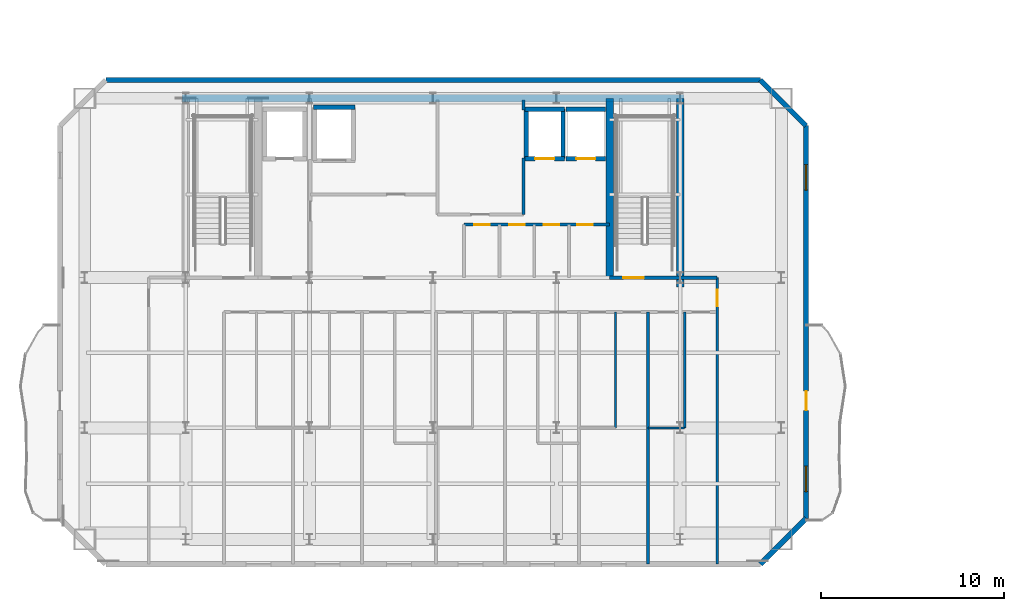
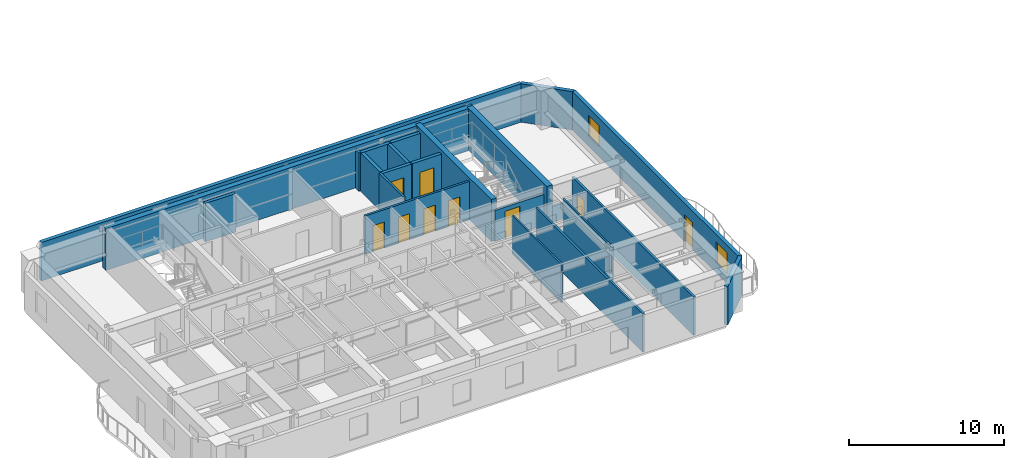
# One storey, part 9 of 16: 24 walls, 9 doors, 2 windows, 11 openings.
"""IFC4 building model written with IfcOpenShell, lengths in metres."""

from ifc_helpers import new_model, si_unit, direction, frame, frame_2d, origin, place, context, subcontext, project, spatial, rectangle, extrude, material, layer, layer_set, type_object, element, fill, save


model = new_model("IFC4")

# Units and contexts
model_context = context("Model", 3, precision=1e-05, world=origin(), true_north=direction((0.0, 1.0)))
body_context = subcontext(model_context, "Body", "Model", "MODEL_VIEW")
ifc_project = project(units=[si_unit("LENGTHUNIT", "METRE"), si_unit("AREAUNIT", "SQUARE_METRE"), si_unit("VOLUMEUNIT", "CUBIC_METRE"), si_unit("PLANEANGLEUNIT", "RADIAN"), si_unit("MASSUNIT", "GRAM", prefix="KILO")], contexts=[model_context])

# Site, building, storey
site_placement = place(None, origin())
site = spatial("IfcSite", under=ifc_project, at=site_placement, CompositionType="ELEMENT")
building_placement = place(site_placement, origin())
building = spatial("IfcBuilding", under=site, at=building_placement, Name="Haevon Station Towers", CompositionType="ELEMENT")
storey_placement = place(building_placement, frame((0.0, 0.0, 215.39990234375)))
storey = spatial("IfcBuildingStorey", under=building, at=storey_placement, Name="L59", CompositionType="ELEMENT", Elevation=215.39990234375)

# Wall
ifc_material_1 = material(Name="Gypsum board on steel stud", Category="steel")
ifc_layer_1 = layer(ifc_material_1, 0.179931640625)
ifc_layer_set_1 = layer_set([ifc_layer_1], Name="Gypsum board on steel stud")
wall_type_1 = type_object("IfcWallType", Name="WL-ACU180", PredefinedType="PARTITIONING", material=ifc_layer_set_1)
wall_1_placement = place(storey_placement, frame((51.0, 38.199951171875, 0.0), z_axis=(0.0, 0.0, 1.0), x_axis=(1.0, 0.0, 0.0)))
element("IfcWall", 1, at=wall_1_placement, inside=storey, type_object=wall_type_1, Name="WL-T1PT-L59-03", PredefinedType="PARTITIONING", context=body_context, shape_type="SweptSolid", body=[
    extrude(rectangle(XDim=2.02490234375, YDim=0.179931640625, at=frame_2d((1.012451171875, 0.0))), origin(), (0.0, 0.0, 1.0), 1.22998046875),
])

# Wall, opening, door
ifc_layer_2 = layer(ifc_material_1, 0.199951171875)
ifc_layer_set_2 = layer_set([ifc_layer_2], Name="Gypsum board on steel stud")
wall_type_2 = type_object("IfcWallType", Name="WL-COR200", PredefinedType="PARTITIONING", material=ifc_layer_set_2)
wall_2_placement = place(storey_placement, frame((47.14990234375, 38.199951171875, 0.0), z_axis=(0.0, 0.0, 1.0), x_axis=(1.0, 0.0, 0.0)))
wall_2 = element("IfcWall", 2, at=wall_2_placement, inside=storey, type_object=wall_type_2, Name="WL-ST-ST2-L59", PredefinedType="PARTITIONING", context=body_context, shape_type="SweptSolid", body=[
    extrude(rectangle(XDim=3.85009765625, YDim=0.199951171875, at=frame_2d((1.925048828125, 0.0))), origin(), (0.0, 0.0, 1.0), 2.43017578125),
])
opening_1_placement = place(wall_2_placement, frame((0.75, 0.0, 0.0)))
opening_1 = element("IfcOpeningElement", 3, at=opening_1_placement, cuts=wall_2, Name="Opening DR-ST-ST2-L59", PredefinedType="OPENING", context=body_context, shape_type="SweptSolid", body=[
    extrude(rectangle(XDim=1.1201171875, YDim=2.10009765625, at=frame_2d((0.56005859375, 1.050048828125))), frame((0.0, 0.10986328125, 0.0), z_axis=(0.0, -1.0, 0.0), x_axis=(1.0, 0.0, 0.0)), (0.0, 0.0, 1.0), 0.219970703125),
])
ifc_material_2 = material(Name="Engineered oak timber", Category="wood")
door_type_1 = type_object("IfcDoorType", Name="DR-ST-1120", OperationType="NOTDEFINED", PredefinedType="DOOR", material=ifc_material_2)
door_1_placement = place(opening_1_placement, origin())
door_1 = element("IfcDoor", 4, at=door_1_placement, inside=storey, type_object=door_type_1, Name="L59 Escape Stair ST2 Fire Door", OperationType="SINGLE_SWING_RIGHT", OverallHeight=2.10009765625, OverallWidth=1.1201171875, PredefinedType="DOOR", context=body_context, shape_type="SweptSolid", body=[
    extrude(rectangle(XDim=1.1201171875, YDim=2.10009765625, at=frame_2d((0.56005859375, 1.050048828125))), frame((0.0, 0.02490234375, 0.0), z_axis=(0.0, -1.0, 0.0), x_axis=(1.0, 0.0, 0.0)), (0.0, 0.0, 1.0), 0.050048828125),
])
fill(opening_1, door_1)

# Walls
ifc_material_3 = material(Name="Concrete C60/75", Category="concrete")
ifc_layer_3 = layer(ifc_material_3, 0.39990234375)
ifc_layer_set_3 = layer_set([ifc_layer_3], Name="Concrete C60/75")
wall_type_3 = type_object("IfcWallType", Name="WL-CR400", PredefinedType="SHEAR", material=ifc_layer_set_3)
wall_3_placement = place(storey_placement, frame((23.800048828125, 48.0, 0.0), z_axis=(0.0, 0.0, 1.0), x_axis=(1.0, 0.0, 0.0)))
element("IfcWall", 5, at=wall_3_placement, inside=storey, type_object=wall_type_3, Name="WL-T1CR-L59-N", PredefinedType="SHEAR", context=body_context, shape_type="SweptSolid", body=[
    extrude(rectangle(XDim=27.39990234375, YDim=0.39990234375, at=frame_2d((13.699951171875, 0.0))), origin(), (0.0, 0.0, 1.0), 3.300048828125),
])
wall_4_placement = place(storey_placement, frame((51.0, 37.679931640625, 0.0), z_axis=(0.0, 0.0, 1.0), x_axis=(0.0, 1.0, 0.0)))
element("IfcWall", 6, at=wall_4_placement, inside=storey, type_object=wall_type_3, Name="WL-T1CR-L59-E", PredefinedType="SHEAR", context=body_context, shape_type="SweptSolid", body=[
    extrude(rectangle(XDim=10.320068359375, YDim=0.39990234375, at=frame_2d((5.16015625, 0.0))), origin(), (0.0, 0.0, 1.0), 3.300048828125),
])
wall_5_placement = place(storey_placement, frame((47.14990234375, 38.199951171875, 0.0), z_axis=(0.0, 0.0, 1.0), x_axis=(0.0, 1.0, 0.0)))
element("IfcWall", 7, at=wall_5_placement, inside=storey, type_object=wall_type_3, Name="WL-T1CR-L59-M2", PredefinedType="SHEAR", context=body_context, shape_type="SweptSolid", body=[
    extrude(rectangle(XDim=9.800048828125, YDim=0.39990234375, at=frame_2d((4.89990234375, 0.0))), origin(), (0.0, 0.0, 1.0), 3.300048828125),
])
ifc_material_4 = material(Name="Precast concrete C45/55", Category="concrete")
ifc_layer_4 = layer(ifc_material_4, 0.280029296875)
ifc_layer_set_4 = layer_set([ifc_layer_4], Name="Precast concrete C45/55")
wall_type_4 = type_object("IfcWallType", Name="WL-EXT-PIER280", PredefinedType="SOLIDWALL", material=ifc_layer_set_4)
wall_6_placement = place(storey_placement, frame((19.625, 49.0, 0.0), z_axis=(0.0, 0.0, 1.0), x_axis=(1.0, 0.0, 0.0)))
element("IfcWall", 8, at=wall_6_placement, inside=storey, type_object=wall_type_4, Name="WL-T1-L59-N", PredefinedType="SOLIDWALL", context=body_context, shape_type="SweptSolid", body=[
    extrude(rectangle(XDim=35.75, YDim=0.280029296875, at=frame_2d((17.875, 0.0))), origin(), (0.0, 0.0, 1.0), 3.030029296875),
])
wall_7_placement = place(storey_placement, frame((55.375, 49.0, 0.0), z_axis=(0.0, 0.0, 1.0), x_axis=(0.707106781187, -0.707106781187, 0.0)))
element("IfcWall", 9, at=wall_7_placement, inside=storey, type_object=wall_type_4, Name="WL-T1-L59-NEC", PredefinedType="SOLIDWALL", context=body_context, shape_type="SweptSolid", body=[
    extrude(rectangle(XDim=3.53564453125, YDim=0.280029296875, at=frame_2d((1.767822265625, 0.0))), origin(), (0.0, 0.0, 1.0), 3.030029296875),
])

# Wall, openings, door, windows
wall_8_placement = place(storey_placement, frame((57.875, 46.5, 0.0), z_axis=(0.0, 0.0, 1.0), x_axis=(0.0, -1.0, 0.0)))
wall_8 = element("IfcWall", 10, at=wall_8_placement, inside=storey, type_object=wall_type_4, Name="WL-T1-L59-E", PredefinedType="SOLIDWALL", context=body_context, shape_type="SweptSolid", body=[
    extrude(rectangle(XDim=21.449951171875, YDim=0.280029296875, at=frame_2d((10.72509765625, 0.0))), origin(), (0.0, 0.0, 1.0), 3.030029296875),
])
opening_2_placement = place(wall_8_placement, frame((14.5, 0.0, 0.0)))
opening_2 = element("IfcOpeningElement", 11, at=opening_2_placement, cuts=wall_8, Name="Opening DR-T1-SCAL-L59-E", PredefinedType="OPENING", context=body_context, shape_type="SweptSolid", body=[
    extrude(rectangle(XDim=1.050048828125, YDim=2.10009765625, at=frame_2d((0.52490234375, 1.050048828125))), frame((0.0, 0.14990234375, 0.0), z_axis=(0.0, -1.0, 0.0), x_axis=(1.0, 0.0, 0.0)), (0.0, 0.0, 1.0), 0.300048828125),
])
opening_3_placement = place(wall_8_placement, frame((2.117919921875, 0.0, 0.800048828125)))
opening_3 = element("IfcOpeningElement", 12, at=opening_3_placement, cuts=wall_8, Name="Opening WN-END140", PredefinedType="OPENING", context=body_context, shape_type="SweptSolid", body=[
    extrude(rectangle(XDim=1.39990234375, YDim=1.64990234375, at=frame_2d((0.699951171875, 0.824951171875))), frame((0.0, 0.14990234375, 0.0), z_axis=(0.0, -1.0, 0.0), x_axis=(1.0, 0.0, 0.0)), (0.0, 0.0, 1.0), 0.300048828125),
])
opening_4_placement = place(wall_8_placement, frame((18.591064453125, 0.0, 0.800048828125)))
opening_4 = element("IfcOpeningElement", 13, at=opening_4_placement, cuts=wall_8, Name="Opening WN-END140", PredefinedType="OPENING", context=body_context, shape_type="SweptSolid", body=[
    extrude(rectangle(XDim=1.39990234375, YDim=1.64990234375, at=frame_2d((0.699951171875, 0.824951171875))), frame((0.0, 0.14990234375, 0.0), z_axis=(0.0, -1.0, 0.0), x_axis=(1.0, 0.0, 0.0)), (0.0, 0.0, 1.0), 0.300048828125),
])
ifc_material_5 = material(Name="Thermally broken anodised aluminium and laminated safety glass", Category="aluminium")
door_type_2 = type_object("IfcDoorType", Name="DR-BALC-1050", OperationType="NOTDEFINED", PredefinedType="DOOR", material=ifc_material_5)
door_2_placement = place(opening_2_placement, origin())
door_2 = element("IfcDoor", 14, at=door_2_placement, inside=storey, type_object=door_type_2, Name="Tower 1 L59 East Scalloped Balcony Door", OperationType="SINGLE_SWING_LEFT", OverallHeight=2.10009765625, OverallWidth=1.050048828125, PredefinedType="DOOR", context=body_context, shape_type="SweptSolid", body=[
    extrude(rectangle(XDim=1.050048828125, YDim=2.10009765625, at=frame_2d((0.52490234375, 1.050048828125))), frame((0.0, 0.02490234375, 0.0), z_axis=(0.0, -1.0, 0.0), x_axis=(1.0, 0.0, 0.0)), (0.0, 0.0, 1.0), 0.050048828125),
])
fill(opening_2, door_2)
ifc_material_6 = material(Name="Low-E triple glazing in thermally broken aluminium", Category="aluminium")
window_type = type_object("IfcWindowType", Name="WN-END140", PartitioningType="SINGLE_PANEL", PredefinedType="WINDOW", material=ifc_material_6)
window_1_placement = place(opening_3_placement, origin())
window_1 = element("IfcWindow", 15, at=window_1_placement, inside=storey, type_object=window_type, Name="WN-T1-L59-E01", OverallHeight=1.64990234375, OverallWidth=1.39990234375, PartitioningType="SINGLE_PANEL", PredefinedType="WINDOW", context=body_context, shape_type="SweptSolid", body=[
    extrude(rectangle(XDim=1.39990234375, YDim=1.64990234375, at=frame_2d((0.699951171875, 0.824951171875))), frame((0.0, 0.030029296875, 0.0), z_axis=(0.0, -1.0, 0.0), x_axis=(1.0, 0.0, 0.0)), (0.0, 0.0, 1.0), 0.06005859375),
])
fill(opening_3, window_1)
window_2_placement = place(opening_4_placement, origin())
window_2 = element("IfcWindow", 16, at=window_2_placement, inside=storey, type_object=window_type, Name="WN-T1-L59-E02", OverallHeight=1.64990234375, OverallWidth=1.39990234375, PartitioningType="SINGLE_PANEL", PredefinedType="WINDOW", context=body_context, shape_type="SweptSolid", body=[
    extrude(rectangle(XDim=1.39990234375, YDim=1.64990234375, at=frame_2d((0.699951171875, 0.824951171875))), frame((0.0, 0.030029296875, 0.0), z_axis=(0.0, -1.0, 0.0), x_axis=(1.0, 0.0, 0.0)), (0.0, 0.0, 1.0), 0.06005859375),
])
fill(opening_4, window_2)

# Walls
wall_9_placement = place(storey_placement, frame((57.875, 25.050048828125, 0.0), z_axis=(0.0, 0.0, 1.0), x_axis=(-0.707106781187, -0.707106781187, 0.0)))
element("IfcWall", 17, at=wall_9_placement, inside=storey, type_object=wall_type_4, Name="WL-T1-L59-SEC", PredefinedType="SOLIDWALL", context=body_context, shape_type="SweptSolid", body=[
    extrude(rectangle(XDim=3.53564453125, YDim=0.280029296875, at=frame_2d((1.767822265625, 0.0))), origin(), (0.0, 0.0, 1.0), 3.030029296875),
])
ifc_layer_5 = layer(ifc_material_1, 0.125)
ifc_layer_set_5 = layer_set([ifc_layer_5], Name="Gypsum board on steel stud")
wall_type_5 = type_object("IfcWallType", Name="WL-PRT125", PredefinedType="PARTITIONING", material=ifc_layer_set_5)
wall_10_placement = place(storey_placement, frame((47.47265625, 29.990966796875, 0.0), z_axis=(0.0, 0.0, 1.0), x_axis=(0.0, 1.0, 0.0)))
element("IfcWall", 18, at=wall_10_placement, inside=storey, type_object=wall_type_5, Name="WL-T1PT-L59-22", PredefinedType="PARTITIONING", context=body_context, shape_type="SweptSolid", body=[
    extrude(rectangle(XDim=6.3291015625, YDim=0.125, at=frame_2d((3.16455078125, 0.0))), origin(), (0.0, 0.0, 1.0), 3.030029296875),
])
wall_11_placement = place(storey_placement, frame((49.252685546875, 29.990966796875, 0.0), z_axis=(0.0, 0.0, 1.0), x_axis=(1.0, 0.0, 0.0)))
element("IfcWall", 19, at=wall_11_placement, inside=storey, type_object=wall_type_5, Name="WL-T1PT-L59-24", PredefinedType="PARTITIONING", context=body_context, shape_type="SweptSolid", body=[
    extrude(rectangle(XDim=1.992431640625, YDim=0.125, at=frame_2d((0.99609375, 0.0))), origin(), (0.0, 0.0, 1.0), 1.22998046875),
])
wall_12_placement = place(storey_placement, frame((51.2451171875, 29.990966796875, 0.0), z_axis=(0.0, 0.0, 1.0), x_axis=(0.0, 1.0, 0.0)))
element("IfcWall", 20, at=wall_12_placement, inside=storey, type_object=wall_type_5, Name="WL-T1PT-L59-25", PredefinedType="PARTITIONING", context=body_context, shape_type="SweptSolid", body=[
    extrude(rectangle(XDim=6.3291015625, YDim=0.125, at=frame_2d((3.16455078125, 0.0))), origin(), (0.0, 0.0, 1.0), 3.030029296875),
])
ifc_layer_6 = layer(ifc_material_1, 0.159912109375)
ifc_layer_set_6 = layer_set([ifc_layer_6], Name="Gypsum board on steel stud")
wall_type_6 = type_object("IfcWallType", Name="WL-PRT160", PredefinedType="PARTITIONING", material=ifc_layer_set_6)
wall_13_placement = place(storey_placement, frame((42.449951171875, 41.64990234375, 0.0), z_axis=(0.0, 0.0, 1.0), x_axis=(0.0, 1.0, 0.0)))
element("IfcWall", 21, at=wall_13_placement, inside=storey, type_object=wall_type_6, Name="WL-T1CW-L59-04", PredefinedType="PARTITIONING", context=body_context, shape_type="SweptSolid", body=[
    extrude(rectangle(XDim=3.10009765625, YDim=0.159912109375, at=frame_2d((1.550048828125, 0.0))), origin(), (0.0, 0.0, 1.0), 3.030029296875),
])
wall_14_placement = place(storey_placement, frame((42.449951171875, 47.35009765625, 0.0), z_axis=(0.0, 0.0, 1.0), x_axis=(0.0, 1.0, 0.0)))
element("IfcWall", 22, at=wall_14_placement, inside=storey, type_object=wall_type_6, Name="WL-T1CW-L59-05", PredefinedType="PARTITIONING", context=body_context, shape_type="SweptSolid", body=[
    extrude(rectangle(XDim=0.5498046875, YDim=0.159912109375, at=frame_2d((0.27490234375, 0.0))), origin(), (0.0, 0.0, 1.0), 3.030029296875),
])

# Wall, openings, doors
wall_15_placement = place(storey_placement, frame((39.199951171875, 41.10009765625, 0.0), z_axis=(0.0, 0.0, 1.0), x_axis=(1.0, 0.0, 0.0)))
wall_15 = element("IfcWall", 23, at=wall_15_placement, inside=storey, type_object=wall_type_6, Name="WL-T1CW-L59-10", PredefinedType="PARTITIONING", context=body_context, shape_type="SweptSolid", body=[
    extrude(rectangle(XDim=7.949951171875, YDim=0.159912109375, at=frame_2d((3.97509765625, 0.0))), origin(), (0.0, 0.0, 1.0), 3.030029296875),
])
opening_5_placement = place(wall_15_placement, frame((0.56005859375, 0.0, 0.0)))
opening_5 = element("IfcOpeningElement", 24, at=opening_5_placement, cuts=wall_15, Name="Opening DR-WL-T1CW-L59-10-1", PredefinedType="OPENING", context=body_context, shape_type="SweptSolid", body=[
    extrude(rectangle(XDim=0.85009765625, YDim=2.050048828125, at=frame_2d((0.425048828125, 1.02490234375))), frame((0.0, 0.08984375, 0.0), z_axis=(0.0, -1.0, 0.0), x_axis=(1.0, 0.0, 0.0)), (0.0, 0.0, 1.0), 0.179931640625),
])
opening_6_placement = place(wall_15_placement, frame((2.455078125, 0.0, 0.0)))
opening_6 = element("IfcOpeningElement", 25, at=opening_6_placement, cuts=wall_15, Name="Opening DR-WL-T1CW-L59-10-2", PredefinedType="OPENING", context=body_context, shape_type="SweptSolid", body=[
    extrude(rectangle(XDim=0.85009765625, YDim=2.050048828125, at=frame_2d((0.425048828125, 1.02490234375))), frame((0.0, 0.08984375, 0.0), z_axis=(0.0, -1.0, 0.0), x_axis=(1.0, 0.0, 0.0)), (0.0, 0.0, 1.0), 0.179931640625),
])
opening_7_placement = place(wall_15_placement, frame((4.35498046875, 0.0, 0.0)))
opening_7 = element("IfcOpeningElement", 26, at=opening_7_placement, cuts=wall_15, Name="Opening DR-WL-T1CW-L59-10-3", PredefinedType="OPENING", context=body_context, shape_type="SweptSolid", body=[
    extrude(rectangle(XDim=0.85009765625, YDim=2.050048828125, at=frame_2d((0.425048828125, 1.02490234375))), frame((0.0, 0.08984375, 0.0), z_axis=(0.0, -1.0, 0.0), x_axis=(1.0, 0.0, 0.0)), (0.0, 0.0, 1.0), 0.179931640625),
])
opening_8_placement = place(wall_15_placement, frame((6.179931640625, 0.0, 0.0)))
opening_8 = element("IfcOpeningElement", 27, at=opening_8_placement, cuts=wall_15, Name="Opening DR-WL-T1CW-L59-10-4", PredefinedType="OPENING", context=body_context, shape_type="SweptSolid", body=[
    extrude(rectangle(XDim=0.85009765625, YDim=2.050048828125, at=frame_2d((0.425048828125, 1.02490234375))), frame((0.0, 0.08984375, 0.0), z_axis=(0.0, -1.0, 0.0), x_axis=(1.0, 0.0, 0.0)), (0.0, 0.0, 1.0), 0.179931640625),
])
door_type_3 = type_object("IfcDoorType", Name="DR-FD30-850", OperationType="NOTDEFINED", PredefinedType="DOOR", material=ifc_material_2)
door_3_placement = place(opening_5_placement, origin())
door_3 = element("IfcDoor", 28, at=door_3_placement, inside=storey, type_object=door_type_3, Name="L59 Tower 1 Core Room Door 10-1", OperationType="SINGLE_SWING_LEFT", OverallHeight=2.050048828125, OverallWidth=0.85009765625, PredefinedType="DOOR", context=body_context, shape_type="SweptSolid", body=[
    extrude(rectangle(XDim=0.85009765625, YDim=2.050048828125, at=frame_2d((0.425048828125, 1.02490234375))), frame((0.0, 0.02490234375, 0.0), z_axis=(0.0, -1.0, 0.0), x_axis=(1.0, 0.0, 0.0)), (0.0, 0.0, 1.0), 0.050048828125),
])
fill(opening_5, door_3)
door_4_placement = place(opening_6_placement, origin())
door_4 = element("IfcDoor", 29, at=door_4_placement, inside=storey, type_object=door_type_3, Name="L59 Tower 1 Core Room Door 10-2", OperationType="SINGLE_SWING_RIGHT", OverallHeight=2.050048828125, OverallWidth=0.85009765625, PredefinedType="DOOR", context=body_context, shape_type="SweptSolid", body=[
    extrude(rectangle(XDim=0.85009765625, YDim=2.050048828125, at=frame_2d((0.425048828125, 1.02490234375))), frame((0.0, 0.02490234375, 0.0), z_axis=(0.0, -1.0, 0.0), x_axis=(1.0, 0.0, 0.0)), (0.0, 0.0, 1.0), 0.050048828125),
])
fill(opening_6, door_4)
door_5_placement = place(opening_7_placement, origin())
door_5 = element("IfcDoor", 30, at=door_5_placement, inside=storey, type_object=door_type_3, Name="L59 Tower 1 Core Room Door 10-3", OperationType="SINGLE_SWING_LEFT", OverallHeight=2.050048828125, OverallWidth=0.85009765625, PredefinedType="DOOR", context=body_context, shape_type="SweptSolid", body=[
    extrude(rectangle(XDim=0.85009765625, YDim=2.050048828125, at=frame_2d((0.425048828125, 1.02490234375))), frame((0.0, 0.02490234375, 0.0), z_axis=(0.0, -1.0, 0.0), x_axis=(1.0, 0.0, 0.0)), (0.0, 0.0, 1.0), 0.050048828125),
])
fill(opening_7, door_5)
door_6_placement = place(opening_8_placement, origin())
door_6 = element("IfcDoor", 31, at=door_6_placement, inside=storey, type_object=door_type_3, Name="L59 Tower 1 Core Room Door 10-4", OperationType="SINGLE_SWING_RIGHT", OverallHeight=2.050048828125, OverallWidth=0.85009765625, PredefinedType="DOOR", context=body_context, shape_type="SweptSolid", body=[
    extrude(rectangle(XDim=0.85009765625, YDim=2.050048828125, at=frame_2d((0.425048828125, 1.02490234375))), frame((0.0, 0.02490234375, 0.0), z_axis=(0.0, -1.0, 0.0), x_axis=(1.0, 0.0, 0.0)), (0.0, 0.0, 1.0), 0.050048828125),
])
fill(opening_8, door_6)

# Wall, opening, door
wall_16_placement = place(storey_placement, frame((53.02490234375, 22.550048828125, 0.0), z_axis=(0.0, 0.0, 1.0), x_axis=(0.0, 1.0, 0.0)))
wall_16 = element("IfcWall", 32, at=wall_16_placement, inside=storey, type_object=wall_type_6, Name="WL-T1PT-L59-05", PredefinedType="PARTITIONING", context=body_context, shape_type="SweptSolid", body=[
    extrude(rectangle(XDim=15.64990234375, YDim=0.159912109375, at=frame_2d((7.824951171875, 0.0))), origin(), (0.0, 0.0, 1.0), 3.030029296875),
])
opening_9_placement = place(wall_16_placement, frame((14.090087890625, 0.0, 0.0)))
opening_9 = element("IfcOpeningElement", 33, at=opening_9_placement, cuts=wall_16, Name="Opening DR-WL-T1PT-L59-05-01", PredefinedType="OPENING", context=body_context, shape_type="SweptSolid", body=[
    extrude(rectangle(XDim=0.89990234375, YDim=2.050048828125, at=frame_2d((0.449951171875, 1.02490234375))), frame((0.0, 0.08984375, 0.0), z_axis=(0.0, -1.0, 0.0), x_axis=(1.0, 0.0, 0.0)), (0.0, 0.0, 1.0), 0.179931640625),
])
door_type_4 = type_object("IfcDoorType", Name="DR-INT-900", OperationType="NOTDEFINED", PredefinedType="DOOR", material=ifc_material_2)
door_7_placement = place(opening_9_placement, origin())
door_7 = element("IfcDoor", 34, at=door_7_placement, inside=storey, type_object=door_type_4, Name="L59 Tower 1 Room Door 5-1", OperationType="SINGLE_SWING_RIGHT", OverallHeight=2.050048828125, OverallWidth=0.89990234375, PredefinedType="DOOR", context=body_context, shape_type="SweptSolid", body=[
    extrude(rectangle(XDim=0.89990234375, YDim=2.050048828125, at=frame_2d((0.449951171875, 1.02490234375))), frame((0.0, 0.02490234375, 0.0), z_axis=(0.0, -1.0, 0.0), x_axis=(1.0, 0.0, 0.0)), (0.0, 0.0, 1.0), 0.050048828125),
])
fill(opening_9, door_7)

# Walls
wall_17_placement = place(storey_placement, frame((49.252685546875, 22.550048828125, 0.0), z_axis=(0.0, 0.0, 1.0), x_axis=(0.0, 1.0, 0.0)))
element("IfcWall", 35, at=wall_17_placement, inside=storey, type_object=wall_type_6, Name="WL-T1PT-L59-23", PredefinedType="PARTITIONING", context=body_context, shape_type="SweptSolid", body=[
    extrude(rectangle(XDim=13.77001953125, YDim=0.159912109375, at=frame_2d((6.885009765625, 0.0))), origin(), (0.0, 0.0, 1.0), 3.030029296875),
])
ifc_material_7 = material(Name="Concrete C40/50", Category="concrete")
ifc_layer_7 = layer(ifc_material_7, 0.239990234375)
ifc_layer_set_7 = layer_set([ifc_layer_7], Name="Concrete C40/50")
wall_type_7 = type_object("IfcWallType", Name="WL-SHF240", PredefinedType="PARTITIONING", material=ifc_layer_set_7)
wall_18_placement = place(storey_placement, frame((30.969970703125, 47.5, 0.0), z_axis=(0.0, 0.0, 1.0), x_axis=(1.0, 0.0, 0.0)))
element("IfcWall", 36, at=wall_18_placement, inside=storey, type_object=wall_type_7, Name="WL-SHF-SL1-L59-N", PredefinedType="PARTITIONING", context=body_context, shape_type="SweptSolid", body=[
    extrude(rectangle(XDim=2.260009765625, YDim=0.239990234375, at=frame_2d((1.1298828125, 0.0))), origin(), (0.0, 0.0, 1.0), 3.030029296875),
])

# Wall, opening, door
wall_19_placement = place(storey_placement, frame((42.52001953125, 44.699951171875, 0.0), z_axis=(0.0, 0.0, 1.0), x_axis=(1.0, 0.0, 0.0)))
wall_19 = element("IfcWall", 37, at=wall_19_placement, inside=storey, type_object=wall_type_7, Name="WL-SHF-PL5-L59", PredefinedType="PARTITIONING", context=body_context, shape_type="SweptSolid", body=[
    extrude(rectangle(XDim=2.159912109375, YDim=0.239990234375, at=frame_2d((1.080078125, 0.0))), origin(), (0.0, 0.0, 1.0), 3.030029296875),
])
opening_10_placement = place(wall_19_placement, frame((0.554931640625, 0.0, 0.0)))
opening_10 = element("IfcOpeningElement", 38, at=opening_10_placement, cuts=wall_19, Name="Opening LD-PL5-L59", PredefinedType="OPENING", context=body_context, shape_type="SweptSolid", body=[
    extrude(rectangle(XDim=1.050048828125, YDim=2.14990234375, at=frame_2d((0.52490234375, 1.074951171875))), frame((0.0, 0.1298828125, 0.0), z_axis=(0.0, -1.0, 0.0), x_axis=(1.0, 0.0, 0.0)), (0.0, 0.0, 1.0), 0.260009765625),
])
ifc_material_8 = material(Name="Stainless steel and rated core", Category="steel")
door_type_5 = type_object("IfcDoorType", Name="LD-PL1050", OperationType="SLIDING_TO_LEFT", PredefinedType="DOOR", material=ifc_material_8)
door_8_placement = place(opening_10_placement, origin())
door_8 = element("IfcDoor", 39, at=door_8_placement, inside=storey, type_object=door_type_5, Name="L59 Lift PL5 Sliding Landing Door", OperationType="SLIDING_TO_LEFT", OverallHeight=2.14990234375, OverallWidth=1.050048828125, PredefinedType="DOOR", context=body_context, shape_type="SweptSolid", body=[
    extrude(rectangle(XDim=1.050048828125, YDim=2.14990234375, at=frame_2d((0.52490234375, 1.074951171875))), frame((0.0, 0.02490234375, 0.0), z_axis=(0.0, -1.0, 0.0), x_axis=(1.0, 0.0, 0.0)), (0.0, 0.0, 1.0), 0.050048828125),
])
fill(opening_10, door_8)

# Walls
wall_20_placement = place(storey_placement, frame((42.52001953125, 47.39990234375, 0.0), z_axis=(0.0, 0.0, 1.0), x_axis=(1.0, 0.0, 0.0)))
element("IfcWall", 40, at=wall_20_placement, inside=storey, type_object=wall_type_7, Name="WL-SHF-PL5-L59-N", PredefinedType="PARTITIONING", context=body_context, shape_type="SweptSolid", body=[
    extrude(rectangle(XDim=2.159912109375, YDim=0.239990234375, at=frame_2d((1.080078125, 0.0))), origin(), (0.0, 0.0, 1.0), 3.030029296875),
])
for number, where, z_axis, x_axis, name in (
    (41, (42.60009765625, 44.699951171875, 0.0), (0.0, 0.0, 1.0), (0.0, 1.0, 0.0), "WL-SHF-PL5-L59-W"),
    (42, (44.60009765625, 44.699951171875, 0.0), (0.0, 0.0, 1.0), (0.0, 1.0, 0.0), "WL-SHF-PL5-L59-E"),
):
    element("IfcWall", number, at=place(storey_placement, frame(where, z_axis=z_axis, x_axis=x_axis)), inside=storey, type_object=wall_type_7, Name=name, PredefinedType="PARTITIONING", context=body_context, shape_type="SweptSolid", body=[
        extrude(rectangle(XDim=2.699951171875, YDim=0.239990234375, at=frame_2d((1.35009765625, 0.0))), origin(), (0.0, 0.0, 1.0), 3.030029296875),
    ])

# Wall, opening, door
wall_21_placement = place(storey_placement, frame((44.77001953125, 44.699951171875, 0.0), z_axis=(0.0, 0.0, 1.0), x_axis=(1.0, 0.0, 0.0)))
wall_21 = element("IfcWall", 43, at=wall_21_placement, inside=storey, type_object=wall_type_7, Name="WL-SHF-PL6-L59", PredefinedType="PARTITIONING", context=body_context, shape_type="SweptSolid", body=[
    extrude(rectangle(XDim=2.159912109375, YDim=0.239990234375, at=frame_2d((1.080078125, 0.0))), origin(), (0.0, 0.0, 1.0), 3.030029296875),
])
opening_11_placement = place(wall_21_placement, frame((0.554931640625, 0.0, 0.0)))
opening_11 = element("IfcOpeningElement", 44, at=opening_11_placement, cuts=wall_21, Name="Opening LD-PL6-L59", PredefinedType="OPENING", context=body_context, shape_type="SweptSolid", body=[
    extrude(rectangle(XDim=1.050048828125, YDim=2.14990234375, at=frame_2d((0.52490234375, 1.074951171875))), frame((0.0, 0.1298828125, 0.0), z_axis=(0.0, -1.0, 0.0), x_axis=(1.0, 0.0, 0.0)), (0.0, 0.0, 1.0), 0.260009765625),
])
door_9_placement = place(opening_11_placement, origin())
door_9 = element("IfcDoor", 45, at=door_9_placement, inside=storey, type_object=door_type_5, Name="L59 Lift PL6 Sliding Landing Door", OperationType="SLIDING_TO_LEFT", OverallHeight=2.14990234375, OverallWidth=1.050048828125, PredefinedType="DOOR", context=body_context, shape_type="SweptSolid", body=[
    extrude(rectangle(XDim=1.050048828125, YDim=2.14990234375, at=frame_2d((0.52490234375, 1.074951171875))), frame((0.0, 0.02490234375, 0.0), z_axis=(0.0, -1.0, 0.0), x_axis=(1.0, 0.0, 0.0)), (0.0, 0.0, 1.0), 0.050048828125),
])
fill(opening_11, door_9)

# Wall
wall_22_placement = place(storey_placement, frame((44.77001953125, 47.39990234375, 0.0), z_axis=(0.0, 0.0, 1.0), x_axis=(1.0, 0.0, 0.0)))
element("IfcWall", 46, at=wall_22_placement, inside=storey, type_object=wall_type_7, Name="WL-SHF-PL6-L59-N", PredefinedType="PARTITIONING", context=body_context, shape_type="SweptSolid", body=[
    extrude(rectangle(XDim=2.159912109375, YDim=0.239990234375, at=frame_2d((1.080078125, 0.0))), origin(), (0.0, 0.0, 1.0), 3.030029296875),
])

save(model, "model.ifc")
